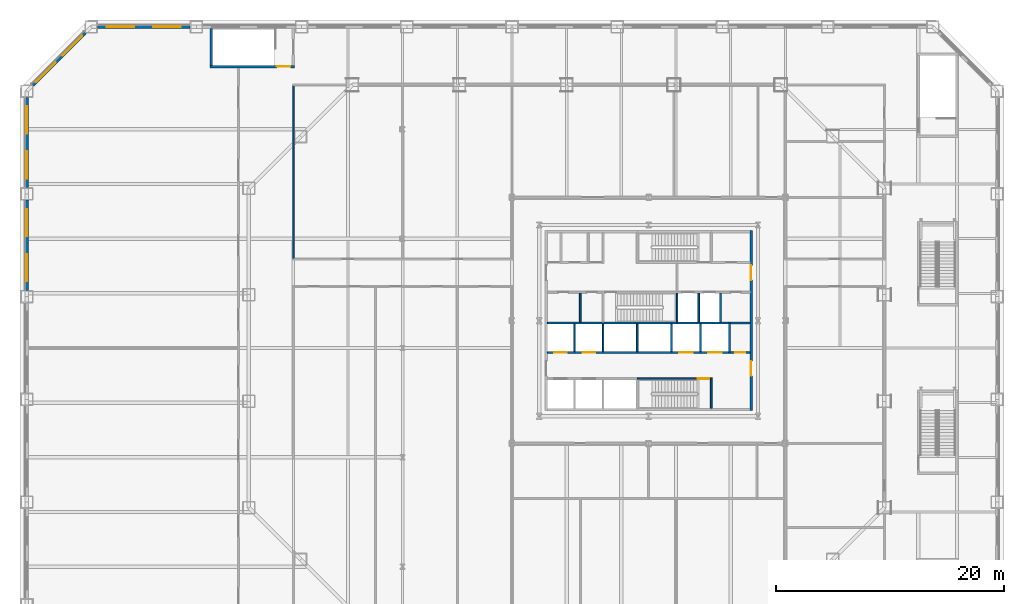
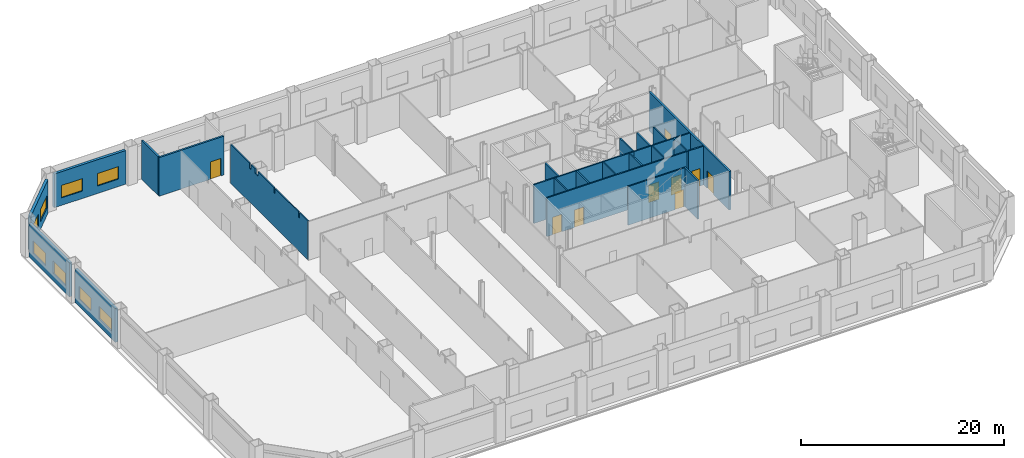
# One storey, part 11 of 22: 26 walls, 9 doors, 8 windows, 17 openings.
"""IFC4 building model written with IfcOpenShell, lengths in metres."""

from ifc_helpers import new_model, si_unit, direction, frame, frame_2d, origin, place, context, subcontext, project, spatial, polyline, rectangle, outline, extrude, material, layer, layer_set, type_object, element, fill, save


model = new_model("IFC4")

# Units and contexts
model_context = context("Model", 3, precision=1e-05, world=origin(), true_north=direction((0.0, 1.0)))
body_context = subcontext(model_context, "Body", "Model", "MODEL_VIEW")
ifc_project = project(units=[si_unit("LENGTHUNIT", "METRE"), si_unit("AREAUNIT", "SQUARE_METRE"), si_unit("VOLUMEUNIT", "CUBIC_METRE"), si_unit("PLANEANGLEUNIT", "RADIAN"), si_unit("MASSUNIT", "GRAM", prefix="KILO")], contexts=[model_context])

# Site, building, storey
site_placement = place(None, origin())
site = spatial("IfcSite", under=ifc_project, at=site_placement, CompositionType="ELEMENT")
building_placement = place(site_placement, origin())
building = spatial("IfcBuilding", under=site, at=building_placement, Name="Cairn Pilgrim Tower", CompositionType="ELEMENT")
storey_placement = place(building_placement, frame((0.0, 0.0, 35.39990234375)))
storey = spatial("IfcBuildingStorey", under=building, at=storey_placement, Name="L06", CompositionType="ELEMENT", Elevation=35.39990234375)

# Wall, openings, doors
ifc_material_1 = material(Name="Concrete C32/40", Category="concrete")
ifc_layer_1 = layer(ifc_material_1, 0.199951171875)
ifc_layer_set_1 = layer_set([ifc_layer_1], Name="CORE OUTER WALL 200 EI 120")
wall_type_1 = type_object("IfcWallType", Name="CORE OUTER WALL 200 EI 120", PredefinedType="SOLIDWALL", material=ifc_layer_set_1)
wall_1_placement = place(storey_placement, frame((16.199951171875, -5.5, 0.0), z_axis=(0.0, 0.0, 1.0), x_axis=(0.0, 1.0, 0.0)))
wall_1 = element("IfcWall", 1, at=wall_1_placement, inside=storey, type_object=wall_type_1, Name="CW:L06:V34", PredefinedType="SOLIDWALL", context=body_context, shape_type="SweptSolid", body=[
    extrude(rectangle(XDim=15.800048828125, YDim=0.199951171875, at=frame_2d((7.89990234375, 0.0))), origin(), (0.0, 0.0, 1.0), 4.650146484375),
])
opening_1_placement = place(wall_1_placement, frame((3.050048828125, 0.0, 0.0)))
opening_1 = element("IfcOpeningElement", 2, at=opening_1_placement, cuts=wall_1, Name="Opening CD-E1", PredefinedType="OPENING", context=body_context, shape_type="SweptSolid", body=[
    extrude(rectangle(XDim=1.300048828125, YDim=2.10009765625, at=frame_2d((0.64990234375, 1.050048828125))), frame((0.0, 0.10986328125, 0.0), z_axis=(0.0, -1.0, 0.0), x_axis=(1.0, 0.0, 0.0)), (0.0, 0.0, 1.0), 0.219970703125),
])
opening_2_placement = place(wall_1_placement, frame((11.449951171875, 0.0, 0.0)))
opening_2 = element("IfcOpeningElement", 3, at=opening_2_placement, cuts=wall_1, Name="Opening CD-E2", PredefinedType="OPENING", context=body_context, shape_type="SweptSolid", body=[
    extrude(rectangle(XDim=1.300048828125, YDim=2.10009765625, at=frame_2d((0.64990234375, 1.050048828125))), frame((0.0, 0.10986328125, 0.0), z_axis=(0.0, -1.0, 0.0), x_axis=(1.0, 0.0, 0.0)), (0.0, 0.0, 1.0), 0.219970703125),
])
ifc_material_2 = material(Name="Painted steel", Category="steel")
door_type_1 = type_object("IfcDoorType", Name="CORE LOBBY DOOR 1300x2100", OperationType="DOUBLE_DOOR_SINGLE_SWING", PredefinedType="DOOR", material=ifc_material_2)
door_1_placement = place(opening_1_placement, origin())
door_1 = element("IfcDoor", 4, at=door_1_placement, inside=storey, type_object=door_type_1, Name="CD-E1", OperationType="DOUBLE_DOOR_SINGLE_SWING", OverallHeight=2.10009765625, OverallWidth=1.300048828125, PredefinedType="DOOR", context=body_context, shape_type="SweptSolid", body=[
    extrude(rectangle(XDim=1.300048828125, YDim=2.10009765625, at=frame_2d((0.64990234375, 1.050048828125))), frame((0.0, 0.02490234375, 0.0), z_axis=(0.0, -1.0, 0.0), x_axis=(1.0, 0.0, 0.0)), (0.0, 0.0, 1.0), 0.050048828125),
])
fill(opening_1, door_1)
door_2_placement = place(opening_2_placement, origin())
door_2 = element("IfcDoor", 5, at=door_2_placement, inside=storey, type_object=door_type_1, Name="CD-E2", OperationType="DOUBLE_DOOR_SINGLE_SWING", OverallHeight=2.10009765625, OverallWidth=1.300048828125, PredefinedType="DOOR", context=body_context, shape_type="SweptSolid", body=[
    extrude(rectangle(XDim=1.300048828125, YDim=2.10009765625, at=frame_2d((0.64990234375, 1.050048828125))), frame((0.0, 0.02490234375, 0.0), z_axis=(0.0, -1.0, 0.0), x_axis=(1.0, 0.0, 0.0)), (0.0, 0.0, 1.0), 0.050048828125),
])
fill(opening_2, door_2)

# Wall, opening, door
ifc_layer_2 = layer(ifc_material_1, 0.14990234375)
ifc_layer_set_2 = layer_set([ifc_layer_2], Name="CORE PARTITION 150 EI 60")
wall_type_2 = type_object("IfcWallType", Name="CORE PARTITION 150 EI 60", PredefinedType="PARTITIONING", material=ifc_layer_set_2)
wall_2_placement = place(storey_placement, frame((14.375, -0.39990234375, 0.0), z_axis=(0.0, 0.0, 1.0), x_axis=(1.0, 0.0, 0.0)))
wall_2 = element("IfcWall", 6, at=wall_2_placement, inside=storey, type_object=wall_type_2, Name="CW:L06:H04", PredefinedType="PARTITIONING", context=body_context, shape_type="SweptSolid", body=[
    extrude(rectangle(XDim=1.72509765625, YDim=0.14990234375, at=frame_2d((0.862548828125, 0.0))), origin(), (0.0, 0.0, 1.0), 4.650146484375),
])
opening_3_placement = place(wall_2_placement, frame((0.425048828125, 0.0, 0.0)))
opening_3 = element("IfcOpeningElement", 7, at=opening_3_placement, cuts=wall_2, Name="Opening RD-R2E", PredefinedType="OPENING", context=body_context, shape_type="SweptSolid", body=[
    extrude(rectangle(XDim=0.89990234375, YDim=2.10009765625, at=frame_2d((0.449951171875, 1.050048828125))), frame((0.0, 0.0849609375, 0.0), z_axis=(0.0, -1.0, 0.0), x_axis=(1.0, 0.0, 0.0)), (0.0, 0.0, 1.0), 0.169921875),
])
door_type_2 = type_object("IfcDoorType", Name="SERVICE ROOM DOOR 900x2100", OperationType="SINGLE_SWING_LEFT", PredefinedType="DOOR", material=ifc_material_2)
door_3_placement = place(opening_3_placement, origin())
door_3 = element("IfcDoor", 8, at=door_3_placement, inside=storey, type_object=door_type_2, Name="RD-R2E", OperationType="SINGLE_SWING_LEFT", OverallHeight=2.10009765625, OverallWidth=0.89990234375, PredefinedType="DOOR", context=body_context, shape_type="SweptSolid", body=[
    extrude(rectangle(XDim=0.89990234375, YDim=2.10009765625, at=frame_2d((0.449951171875, 1.050048828125))), frame((0.0, 0.02490234375, 0.0), z_axis=(0.0, -1.0, 0.0), x_axis=(1.0, 0.0, 0.0)), (0.0, 0.0, 1.0), 0.050048828125),
])
fill(opening_3, door_3)

# Walls
wall_3_placement = place(storey_placement, frame((14.375, 2.199951171875, 0.0), z_axis=(0.0, 0.0, 1.0), x_axis=(1.0, 0.0, 0.0)))
element("IfcWall", 9, at=wall_3_placement, inside=storey, type_object=wall_type_2, Name="CW:L06:H06", PredefinedType="PARTITIONING", context=body_context, shape_type="SweptSolid", body=[
    extrude(rectangle(XDim=1.72509765625, YDim=0.14990234375, at=frame_2d((0.862548828125, 0.0))), origin(), (0.0, 0.0, 1.0), 4.650146484375),
])
wall_4_placement = place(storey_placement, frame((1.199951171875, 2.27490234375, 0.0), z_axis=(0.0, 0.0, 1.0), x_axis=(0.0, 1.0, 0.0)))
element("IfcWall", 10, at=wall_4_placement, inside=storey, type_object=wall_type_2, Name="CW:L06:V16", PredefinedType="PARTITIONING", context=body_context, shape_type="SweptSolid", body=[
    extrude(rectangle(XDim=2.550048828125, YDim=0.14990234375, at=frame_2d((1.27490234375, 0.0))), origin(), (0.0, 0.0, 1.0), 4.650146484375),
])

# Wall, openings, doors
ifc_layer_3 = layer(ifc_material_1, 0.14990234375)
ifc_layer_set_3 = layer_set([ifc_layer_3], Name="CORE SHAFT WALL 150 EI 120")
wall_type_3 = type_object("IfcWallType", Name="CORE SHAFT WALL 150 EI 120", PredefinedType="SOLIDWALL", material=ifc_layer_set_3)
wall_5_placement = place(storey_placement, frame((-1.699951171875, -0.39990234375, 0.0), z_axis=(0.0, 0.0, 1.0), x_axis=(1.0, 0.0, 0.0)))
wall_5 = element("IfcWall", 11, at=wall_5_placement, inside=storey, type_object=wall_type_3, Name="CW:L06:H03", PredefinedType="SOLIDWALL", context=body_context, shape_type="SweptSolid", body=[
    extrude(rectangle(XDim=15.925048828125, YDim=0.14990234375, at=frame_2d((7.96240234375, 0.0))), origin(), (0.0, 0.0, 1.0), 4.650146484375),
])
opening_4_placement = place(wall_5_placement, frame((0.60009765625, 0.0, 0.0)))
opening_4 = element("IfcOpeningElement", 12, at=opening_4_placement, cuts=wall_5, Name="Opening LD-LR3", PredefinedType="OPENING", context=body_context, shape_type="SweptSolid", body=[
    extrude(rectangle(XDim=1.10009765625, YDim=2.10009765625, at=frame_2d((0.550048828125, 1.050048828125))), frame((0.0, 0.0849609375, 0.0), z_axis=(0.0, -1.0, 0.0), x_axis=(1.0, 0.0, 0.0)), (0.0, 0.0, 1.0), 0.169921875),
])
opening_5_placement = place(wall_5_placement, frame((3.10009765625, 0.0, 0.0)))
opening_5 = element("IfcOpeningElement", 13, at=opening_5_placement, cuts=wall_5, Name="Opening LD-LR4", PredefinedType="OPENING", context=body_context, shape_type="SweptSolid", body=[
    extrude(rectangle(XDim=1.10009765625, YDim=2.10009765625, at=frame_2d((0.550048828125, 1.050048828125))), frame((0.0, 0.0849609375, 0.0), z_axis=(0.0, -1.0, 0.0), x_axis=(1.0, 0.0, 0.0)), (0.0, 0.0, 1.0), 0.169921875),
])
opening_6_placement = place(wall_5_placement, frame((11.574951171875, 0.0, 0.0)))
opening_6 = element("IfcOpeningElement", 14, at=opening_6_placement, cuts=wall_5, Name="Opening LD-SV1", PredefinedType="OPENING", context=body_context, shape_type="SweptSolid", body=[
    extrude(rectangle(XDim=1.199951171875, YDim=2.10009765625, at=frame_2d((0.60009765625, 1.050048828125))), frame((0.0, 0.0849609375, 0.0), z_axis=(0.0, -1.0, 0.0), x_axis=(1.0, 0.0, 0.0)), (0.0, 0.0, 1.0), 0.169921875),
])
opening_7_placement = place(wall_5_placement, frame((14.125, 0.0, 0.0)))
opening_7 = element("IfcOpeningElement", 15, at=opening_7_placement, cuts=wall_5, Name="Opening LD-SV2", PredefinedType="OPENING", context=body_context, shape_type="SweptSolid", body=[
    extrude(rectangle(XDim=1.199951171875, YDim=2.10009765625, at=frame_2d((0.60009765625, 1.050048828125))), frame((0.0, 0.0849609375, 0.0), z_axis=(0.0, -1.0, 0.0), x_axis=(1.0, 0.0, 0.0)), (0.0, 0.0, 1.0), 0.169921875),
])
ifc_material_3 = material(Name="Stainless steel", Category="steel")
door_type_3 = type_object("IfcDoorType", Name="LIFT LANDING DOOR 1100x2100", OperationType="DOUBLE_DOOR_SLIDING", PredefinedType="DOOR", material=ifc_material_3)
door_4_placement = place(opening_4_placement, origin())
door_4 = element("IfcDoor", 16, at=door_4_placement, inside=storey, type_object=door_type_3, Name="LANDING DOOR LR3", OperationType="DOUBLE_DOOR_SLIDING", OverallHeight=2.10009765625, OverallWidth=1.10009765625, PredefinedType="DOOR", context=body_context, shape_type="SweptSolid", body=[
    extrude(rectangle(XDim=1.10009765625, YDim=2.10009765625, at=frame_2d((0.550048828125, 1.050048828125))), frame((0.0, 0.02490234375, 0.0), z_axis=(0.0, -1.0, 0.0), x_axis=(1.0, 0.0, 0.0)), (0.0, 0.0, 1.0), 0.050048828125),
])
fill(opening_4, door_4)
door_5_placement = place(opening_5_placement, origin())
door_5 = element("IfcDoor", 17, at=door_5_placement, inside=storey, type_object=door_type_3, Name="LANDING DOOR LR4", OperationType="DOUBLE_DOOR_SLIDING", OverallHeight=2.10009765625, OverallWidth=1.10009765625, PredefinedType="DOOR", context=body_context, shape_type="SweptSolid", body=[
    extrude(rectangle(XDim=1.10009765625, YDim=2.10009765625, at=frame_2d((0.550048828125, 1.050048828125))), frame((0.0, 0.02490234375, 0.0), z_axis=(0.0, -1.0, 0.0), x_axis=(1.0, 0.0, 0.0)), (0.0, 0.0, 1.0), 0.050048828125),
])
fill(opening_5, door_5)
door_type_4 = type_object("IfcDoorType", Name="LIFT LANDING DOOR 1200x2100", OperationType="DOUBLE_DOOR_SLIDING", PredefinedType="DOOR", material=ifc_material_3)
door_6_placement = place(opening_6_placement, origin())
door_6 = element("IfcDoor", 18, at=door_6_placement, inside=storey, type_object=door_type_4, Name="LANDING DOOR SV1", OperationType="DOUBLE_DOOR_SLIDING", OverallHeight=2.10009765625, OverallWidth=1.199951171875, PredefinedType="DOOR", context=body_context, shape_type="SweptSolid", body=[
    extrude(rectangle(XDim=1.199951171875, YDim=2.10009765625, at=frame_2d((0.60009765625, 1.050048828125))), frame((0.0, 0.02490234375, 0.0), z_axis=(0.0, -1.0, 0.0), x_axis=(1.0, 0.0, 0.0)), (0.0, 0.0, 1.0), 0.050048828125),
])
fill(opening_6, door_6)
door_7_placement = place(opening_7_placement, origin())
door_7 = element("IfcDoor", 19, at=door_7_placement, inside=storey, type_object=door_type_4, Name="LANDING DOOR SV2", OperationType="DOUBLE_DOOR_SLIDING", OverallHeight=2.10009765625, OverallWidth=1.199951171875, PredefinedType="DOOR", context=body_context, shape_type="SweptSolid", body=[
    extrude(rectangle(XDim=1.199951171875, YDim=2.10009765625, at=frame_2d((0.60009765625, 1.050048828125))), frame((0.0, 0.02490234375, 0.0), z_axis=(0.0, -1.0, 0.0), x_axis=(1.0, 0.0, 0.0)), (0.0, 0.0, 1.0), 0.050048828125),
])
fill(opening_7, door_7)

# Walls
wall_6_placement = place(storey_placement, frame((-1.699951171875, 2.199951171875, 0.0), z_axis=(0.0, 0.0, 1.0), x_axis=(1.0, 0.0, 0.0)))
element("IfcWall", 20, at=wall_6_placement, inside=storey, type_object=wall_type_3, Name="CW:L06:H05-1", PredefinedType="SOLIDWALL", context=body_context, shape_type="SweptSolid", body=[
    extrude(rectangle(XDim=4.89990234375, YDim=0.14990234375, at=frame_2d((2.449951171875, 0.0))), origin(), (0.0, 0.0, 1.0), 4.650146484375),
])
wall_7_placement = place(storey_placement, frame((9.699951171875, 2.199951171875, 0.0), z_axis=(0.0, 0.0, 1.0), x_axis=(1.0, 0.0, 0.0)))
element("IfcWall", 21, at=wall_7_placement, inside=storey, type_object=wall_type_3, Name="CW:L06:H05-3", PredefinedType="SOLIDWALL", context=body_context, shape_type="SweptSolid", body=[
    extrude(rectangle(XDim=4.525146484375, YDim=0.14990234375, at=frame_2d((2.2626953125, 0.0))), origin(), (0.0, 0.0, 1.0), 4.650146484375),
])
for number, where, z_axis, x_axis, name in (
    (22, (0.699951171875, -0.324951171875, 0.0), (0.0, 0.0, 1.0), (0.0, 1.0, 0.0), "CW:L06:V15"),
    (23, (3.199951171875, -0.324951171875, 0.0), (0.0, 0.0, 1.0), (0.0, 1.0, 0.0), "CW:L06:V19"),
    (24, (6.199951171875, -0.324951171875, 0.0), (0.0, 0.0, 1.0), (0.0, 1.0, 0.0), "CW:L06:V23"),
    (25, (9.199951171875, -0.324951171875, 0.0), (0.0, 0.0, 1.0), (0.0, 1.0, 0.0), "CW:L06:V25"),
):
    element("IfcWall", number, at=place(storey_placement, frame(where, z_axis=z_axis, x_axis=x_axis)), inside=storey, type_object=wall_type_3, Name=name, PredefinedType="SOLIDWALL", context=body_context, shape_type="SweptSolid", body=[
        extrude(rectangle(XDim=2.449951171875, YDim=0.14990234375, at=frame_2d((1.22509765625, 0.0))), origin(), (0.0, 0.0, 1.0), 4.650146484375),
    ])
wall_8_placement = place(storey_placement, frame((11.60009765625, 2.27490234375, 0.0), z_axis=(0.0, 0.0, 1.0), x_axis=(0.0, 1.0, 0.0)))
element("IfcWall", 26, at=wall_8_placement, inside=storey, type_object=wall_type_3, Name="CW:L06:V28", PredefinedType="SOLIDWALL", context=body_context, shape_type="SweptSolid", body=[
    extrude(rectangle(XDim=2.550048828125, YDim=0.14990234375, at=frame_2d((1.27490234375, 0.0))), origin(), (0.0, 0.0, 1.0), 4.650146484375),
])
wall_9_placement = place(storey_placement, frame((11.75, -0.324951171875, 0.0), z_axis=(0.0, 0.0, 1.0), x_axis=(0.0, 1.0, 0.0)))
element("IfcWall", 27, at=wall_9_placement, inside=storey, type_object=wall_type_3, Name="CW:L06:V29", PredefinedType="SOLIDWALL", context=body_context, shape_type="SweptSolid", body=[
    extrude(rectangle(XDim=2.449951171875, YDim=0.14990234375, at=frame_2d((1.22509765625, 0.0))), origin(), (0.0, 0.0, 1.0), 4.650146484375),
])
wall_10_placement = place(storey_placement, frame((13.5, 2.27490234375, 0.0), z_axis=(0.0, 0.0, 1.0), x_axis=(0.0, 1.0, 0.0)))
element("IfcWall", 28, at=wall_10_placement, inside=storey, type_object=wall_type_3, Name="CW:L06:V32", PredefinedType="SOLIDWALL", context=body_context, shape_type="SweptSolid", body=[
    extrude(rectangle(XDim=2.550048828125, YDim=0.14990234375, at=frame_2d((1.27490234375, 0.0))), origin(), (0.0, 0.0, 1.0), 4.650146484375),
])
wall_11_placement = place(storey_placement, frame((14.300048828125, -0.47509765625, 0.0), z_axis=(0.0, 0.0, 1.0), x_axis=(0.0, 1.0, 0.0)))
element("IfcWall", 29, at=wall_11_placement, inside=storey, type_object=wall_type_3, Name="CW:L06:V33", PredefinedType="SOLIDWALL", context=body_context, shape_type="SweptSolid", body=[
    extrude(rectangle(XDim=2.75, YDim=0.14990234375, at=frame_2d((1.375, 0.0))), origin(), (0.0, 0.0, 1.0), 4.650146484375),
])
ifc_material_4 = material(Name="Gypsum partition")
ifc_layer_4 = layer(ifc_material_4, 0.125)
ifc_layer_set_4 = layer_set([ifc_layer_4], Name="PARTITION 125 DRYWALL EI 60")
wall_type_4 = type_object("IfcWallType", Name="PARTITION 125 DRYWALL EI 60", PredefinedType="PARTITIONING", material=ifc_layer_set_4)
wall_12_placement = place(storey_placement, frame((-24.0, 7.862548828125, 0.0), z_axis=(0.0, 0.0, 1.0), x_axis=(0.0, 1.0, 0.0)))
element("IfcWall", 30, at=wall_12_placement, inside=storey, type_object=wall_type_4, Name="PARTITION W049", PredefinedType="PARTITIONING", context=body_context, shape_type="SweptSolid", body=[
    extrude(outline(polyline([(0.0, 0.0), (15.175048828125, 0.0), (15.175048828125, 4.650146484375), (11.487548828125, 4.650146484375), (11.485595703125, 4.030029296875), (11.1875, 4.030029296875), (11.185546875, 4.650146484375), (10.33935546875, 4.650146484375), (10.33740234375, 4.130126953125), (9.7900390625, 4.130126953125), (9.7880859375, 4.650146484375), (6.6474609375, 4.650146484375), (6.6455078125, 4.030029296875), (6.427490234375, 4.030029296875), (6.425537109375, 4.650146484375), (1.847412109375, 4.650146484375), (1.845458984375, 4.030029296875), (1.62744140625, 4.030029296875), (1.62548828125, 4.650146484375), (0.0, 4.650146484375), (0.0, 0.0)])), frame((0.0, 0.0625, 0.0), z_axis=(0.0, -1.0, 0.0), x_axis=(1.0, 0.0, 0.0)), (0.0, 0.0, 1.0), 0.125),
])

# Wall, opening, door
ifc_material_5 = material(Name="Concrete C35/45", Category="concrete")
ifc_layer_5 = layer(ifc_material_5, 0.199951171875)
ifc_layer_set_5 = layer_set([ifc_layer_5], Name="PODIUM STAIR WALL 200 EI 120")
wall_type_5 = type_object("IfcWallType", Name="PODIUM STAIR WALL 200 EI 120", PredefinedType="SOLIDWALL", material=ifc_layer_set_5)
wall_13_placement = place(storey_placement, frame((-31.300048828125, 24.699951171875, 0.0), z_axis=(0.0, 0.0, 1.0), x_axis=(1.0, 0.0, 0.0)))
wall_13 = element("IfcWall", 31, at=wall_13_placement, inside=storey, type_object=wall_type_5, Name="STAIR SHAFT WALL W076", PredefinedType="SOLIDWALL", context=body_context, shape_type="SweptSolid", body=[
    extrude(rectangle(XDim=7.400146484375, YDim=0.199951171875, at=frame_2d((3.7001953125, 0.0))), origin(), (0.0, 0.0, 1.0), 4.650146484375),
])
opening_8_placement = place(wall_13_placement, frame((5.85009765625, 0.0, 0.0)))
opening_8 = element("IfcOpeningElement", 32, at=opening_8_placement, cuts=wall_13, Name="Opening 0623", PredefinedType="OPENING", context=body_context, shape_type="SweptSolid", body=[
    extrude(rectangle(XDim=1.199951171875, YDim=2.10009765625, at=frame_2d((0.60009765625, 1.050048828125))), frame((0.0, 0.10986328125, 0.0), z_axis=(0.0, -1.0, 0.0), x_axis=(1.0, 0.0, 0.0)), (0.0, 0.0, 1.0), 0.219970703125),
])
ifc_material_6 = material(Name="Steel-faced fire door leaf", Category="steel")
door_type_5 = type_object("IfcDoorType", Name="FIRE DOOR 1200x2100 FD60S", OperationType="NOTDEFINED", PredefinedType="DOOR", material=ifc_material_6)
door_8_placement = place(opening_8_placement, origin())
door_8 = element("IfcDoor", 33, at=door_8_placement, inside=storey, type_object=door_type_5, Name="DOOR 0623", OperationType="SINGLE_SWING_LEFT", OverallHeight=2.10009765625, OverallWidth=1.199951171875, PredefinedType="DOOR", context=body_context, shape_type="SweptSolid", body=[
    extrude(rectangle(XDim=1.199951171875, YDim=2.10009765625, at=frame_2d((0.60009765625, 1.050048828125))), frame((0.0, 0.02490234375, 0.0), z_axis=(0.0, -1.0, 0.0), x_axis=(1.0, 0.0, 0.0)), (0.0, 0.0, 1.0), 0.050048828125),
])
fill(opening_8, door_8)

# Wall
wall_14_placement = place(storey_placement, frame((-31.199951171875, 24.800048828125, 0.0), z_axis=(0.0, 0.0, 1.0), x_axis=(0.0, 1.0, 0.0)))
element("IfcWall", 34, at=wall_14_placement, inside=storey, type_object=wall_type_5, Name="STAIR SHAFT WALL W077", PredefinedType="SOLIDWALL", context=body_context, shape_type="SweptSolid", body=[
    extrude(rectangle(XDim=3.25, YDim=0.199951171875, at=frame_2d((1.625, 0.0))), origin(), (0.0, 0.0, 1.0), 4.650146484375),
])

# Wall, openings, windows
ifc_material_7 = material(Name="Concrete C35/45 backup wall with bronze aluminium cladding", Category="concrete")
ifc_layer_6 = layer(ifc_material_7, 0.300048828125)
ifc_layer_set_6 = layer_set([ifc_layer_6], Name="PODIUM WALL 300 BRONZE-CLAD")
wall_type_6 = type_object("IfcWallType", Name="PODIUM WALL 300 BRONZE-CLAD", PredefinedType="SOLIDWALL", material=ifc_layer_set_6)
wall_15_placement = place(storey_placement, frame((-33.063720703125, 28.199951171875, 0.0), z_axis=(0.0, 0.0, 1.0), x_axis=(-1.0, 0.0, 0.0)))
wall_15 = element("IfcWall", 35, at=wall_15_placement, inside=storey, type_object=wall_type_6, Name="PODIUM EXTERNAL WALL N8-NW1", PredefinedType="SOLIDWALL", context=body_context, shape_type="SweptSolid", body=[
    extrude(rectangle(XDim=8.1376953125, YDim=0.300048828125, at=frame_2d((4.06884765625, 0.0))), origin(), (0.0, 0.0, 1.0), 4.050048828125),
])
opening_9_placement = place(wall_15_placement, frame((0.83447265625, 0.0, 0.89990234375)))
opening_9 = element("IfcOpeningElement", 36, at=opening_9_placement, cuts=wall_15, Name="Opening PW15", PredefinedType="OPENING", context=body_context, shape_type="SweptSolid", body=[
    extrude(rectangle(XDim=2.39990234375, YDim=1.5, at=frame_2d((1.199951171875, 0.75))), frame((0.0, 0.16015625, 0.0), z_axis=(0.0, -1.0, 0.0), x_axis=(1.0, 0.0, 0.0)), (0.0, 0.0, 1.0), 0.320068359375),
])
opening_10_placement = place(wall_15_placement, frame((4.9033203125, 0.0, 0.89990234375)))
opening_10 = element("IfcOpeningElement", 37, at=opening_10_placement, cuts=wall_15, Name="Opening PW15", PredefinedType="OPENING", context=body_context, shape_type="SweptSolid", body=[
    extrude(rectangle(XDim=2.39990234375, YDim=1.5, at=frame_2d((1.199951171875, 0.75))), frame((0.0, 0.16015625, 0.0), z_axis=(0.0, -1.0, 0.0), x_axis=(1.0, 0.0, 0.0)), (0.0, 0.0, 1.0), 0.320068359375),
])
ifc_material_8 = material(Name="Bronze anodised aluminium frame with tinted low-E glass", Category="aluminium")
window_type = type_object("IfcWindowType", Name="PODIUM FIXED WINDOW 2400x1500", PartitioningType="SINGLE_PANEL", PredefinedType="WINDOW", material=ifc_material_8)
window_1_placement = place(opening_9_placement, origin())
window_1 = element("IfcWindow", 38, at=window_1_placement, inside=storey, type_object=window_type, Name="PODIUM WINDOW", OverallHeight=1.5, OverallWidth=2.39990234375, PartitioningType="SINGLE_PANEL", PredefinedType="WINDOW", context=body_context, shape_type="SweptSolid", body=[
    extrude(rectangle(XDim=2.39990234375, YDim=1.5, at=frame_2d((1.199951171875, 0.75))), frame((0.0, 0.030029296875, 0.0), z_axis=(0.0, -1.0, 0.0), x_axis=(1.0, 0.0, 0.0)), (0.0, 0.0, 1.0), 0.06005859375),
])
fill(opening_9, window_1)
window_2_placement = place(opening_10_placement, origin())
window_2 = element("IfcWindow", 39, at=window_2_placement, inside=storey, type_object=window_type, Name="PODIUM WINDOW", OverallHeight=1.5, OverallWidth=2.39990234375, PartitioningType="SINGLE_PANEL", PredefinedType="WINDOW", context=body_context, shape_type="SweptSolid", body=[
    extrude(rectangle(XDim=2.39990234375, YDim=1.5, at=frame_2d((1.199951171875, 0.75))), frame((0.0, 0.030029296875, 0.0), z_axis=(0.0, -1.0, 0.0), x_axis=(1.0, 0.0, 0.0)), (0.0, 0.0, 1.0), 0.06005859375),
])
fill(opening_10, window_2)

wall_16_placement = place(storey_placement, frame((-42.274658203125, 27.6767578125, 0.0), z_axis=(0.0, 0.0, 1.0), x_axis=(-0.707106781187, -0.707106781187, 0.0)))
wall_16 = element("IfcWall", 40, at=wall_16_placement, inside=storey, type_object=wall_type_6, Name="PODIUM EXTERNAL WALL NW1-W1", PredefinedType="SOLIDWALL", context=body_context, shape_type="SweptSolid", body=[
    extrude(rectangle(XDim=6.50830078125, YDim=0.300048828125, at=frame_2d((3.254150390625, 0.0))), origin(), (0.0, 0.0, 1.0), 4.050048828125),
])
opening_11_placement = place(wall_16_placement, frame((0.427001953125, 0.0, 0.89990234375)))
opening_11 = element("IfcOpeningElement", 41, at=opening_11_placement, cuts=wall_16, Name="Opening PW15", PredefinedType="OPENING", context=body_context, shape_type="SweptSolid", body=[
    extrude(rectangle(XDim=2.39990234375, YDim=1.5, at=frame_2d((1.199951171875, 0.75))), frame((0.0, 0.16015625, 0.0), z_axis=(0.0, -1.0, 0.0), x_axis=(1.0, 0.0, 0.0)), (0.0, 0.0, 1.0), 0.320068359375),
])
opening_12_placement = place(wall_16_placement, frame((3.68115234375, 0.0, 0.89990234375)))
opening_12 = element("IfcOpeningElement", 42, at=opening_12_placement, cuts=wall_16, Name="Opening PW15", PredefinedType="OPENING", context=body_context, shape_type="SweptSolid", body=[
    extrude(rectangle(XDim=2.39990234375, YDim=1.5, at=frame_2d((1.199951171875, 0.75))), frame((0.0, 0.16015625, 0.0), z_axis=(0.0, -1.0, 0.0), x_axis=(1.0, 0.0, 0.0)), (0.0, 0.0, 1.0), 0.320068359375),
])
window_3_placement = place(opening_11_placement, origin())
window_3 = element("IfcWindow", 43, at=window_3_placement, inside=storey, type_object=window_type, Name="PODIUM WINDOW", OverallHeight=1.5, OverallWidth=2.39990234375, PartitioningType="SINGLE_PANEL", PredefinedType="WINDOW", context=body_context, shape_type="SweptSolid", body=[
    extrude(rectangle(XDim=2.39990234375, YDim=1.5, at=frame_2d((1.199951171875, 0.75))), frame((0.0, 0.030029296875, 0.0), z_axis=(0.0, -1.0, 0.0), x_axis=(1.0, 0.0, 0.0)), (0.0, 0.0, 1.0), 0.06005859375),
])
fill(opening_11, window_3)
window_4_placement = place(opening_12_placement, origin())
window_4 = element("IfcWindow", 44, at=window_4_placement, inside=storey, type_object=window_type, Name="PODIUM WINDOW", OverallHeight=1.5, OverallWidth=2.39990234375, PartitioningType="SINGLE_PANEL", PredefinedType="WINDOW", context=body_context, shape_type="SweptSolid", body=[
    extrude(rectangle(XDim=2.39990234375, YDim=1.5, at=frame_2d((1.199951171875, 0.75))), frame((0.0, 0.030029296875, 0.0), z_axis=(0.0, -1.0, 0.0), x_axis=(1.0, 0.0, 0.0)), (0.0, 0.0, 1.0), 0.06005859375),
])
fill(opening_12, window_4)

wall_17_placement = place(storey_placement, frame((-47.39990234375, 22.00146484375, 0.0), z_axis=(0.0, 0.0, 1.0), x_axis=(0.0, -1.0, 0.0)))
wall_17 = element("IfcWall", 45, at=wall_17_placement, inside=storey, type_object=wall_type_6, Name="PODIUM EXTERNAL WALL W1-W2", PredefinedType="SOLIDWALL", context=body_context, shape_type="SweptSolid", body=[
    extrude(rectangle(XDim=7.920654296875, YDim=0.300048828125, at=frame_2d((3.96044921875, 0.0))), origin(), (0.0, 0.0, 1.0), 4.050048828125),
])
opening_13_placement = place(wall_17_placement, frame((0.780029296875, 0.0, 0.89990234375)))
opening_13 = element("IfcOpeningElement", 46, at=opening_13_placement, cuts=wall_17, Name="Opening PW15", PredefinedType="OPENING", context=body_context, shape_type="SweptSolid", body=[
    extrude(rectangle(XDim=2.39990234375, YDim=1.5, at=frame_2d((1.199951171875, 0.75))), frame((0.0, 0.16015625, 0.0), z_axis=(0.0, -1.0, 0.0), x_axis=(1.0, 0.0, 0.0)), (0.0, 0.0, 1.0), 0.320068359375),
])
opening_14_placement = place(wall_17_placement, frame((4.740478515625, 0.0, 0.89990234375)))
opening_14 = element("IfcOpeningElement", 47, at=opening_14_placement, cuts=wall_17, Name="Opening PW15", PredefinedType="OPENING", context=body_context, shape_type="SweptSolid", body=[
    extrude(rectangle(XDim=2.39990234375, YDim=1.5, at=frame_2d((1.199951171875, 0.75))), frame((0.0, 0.16015625, 0.0), z_axis=(0.0, -1.0, 0.0), x_axis=(1.0, 0.0, 0.0)), (0.0, 0.0, 1.0), 0.320068359375),
])
window_5_placement = place(opening_13_placement, origin())
window_5 = element("IfcWindow", 48, at=window_5_placement, inside=storey, type_object=window_type, Name="PODIUM WINDOW", OverallHeight=1.5, OverallWidth=2.39990234375, PartitioningType="SINGLE_PANEL", PredefinedType="WINDOW", context=body_context, shape_type="SweptSolid", body=[
    extrude(rectangle(XDim=2.39990234375, YDim=1.5, at=frame_2d((1.199951171875, 0.75))), frame((0.0, 0.030029296875, 0.0), z_axis=(0.0, -1.0, 0.0), x_axis=(1.0, 0.0, 0.0)), (0.0, 0.0, 1.0), 0.06005859375),
])
fill(opening_13, window_5)
window_6_placement = place(opening_14_placement, origin())
window_6 = element("IfcWindow", 49, at=window_6_placement, inside=storey, type_object=window_type, Name="PODIUM WINDOW", OverallHeight=1.5, OverallWidth=2.39990234375, PartitioningType="SINGLE_PANEL", PredefinedType="WINDOW", context=body_context, shape_type="SweptSolid", body=[
    extrude(rectangle(XDim=2.39990234375, YDim=1.5, at=frame_2d((1.199951171875, 0.75))), frame((0.0, 0.030029296875, 0.0), z_axis=(0.0, -1.0, 0.0), x_axis=(1.0, 0.0, 0.0)), (0.0, 0.0, 1.0), 0.06005859375),
])
fill(opening_14, window_6)

wall_18_placement = place(storey_placement, frame((-47.39990234375, 12.98095703125, 0.0), z_axis=(0.0, 0.0, 1.0), x_axis=(0.0, -1.0, 0.0)))
wall_18 = element("IfcWall", 50, at=wall_18_placement, inside=storey, type_object=wall_type_6, Name="PODIUM EXTERNAL WALL W2-W3", PredefinedType="SOLIDWALL", context=body_context, shape_type="SweptSolid", body=[
    extrude(rectangle(XDim=7.920654296875, YDim=0.300048828125, at=frame_2d((3.96044921875, 0.0))), origin(), (0.0, 0.0, 1.0), 4.050048828125),
])
opening_15_placement = place(wall_18_placement, frame((0.780029296875, 0.0, 0.89990234375)))
opening_15 = element("IfcOpeningElement", 51, at=opening_15_placement, cuts=wall_18, Name="Opening PW15", PredefinedType="OPENING", context=body_context, shape_type="SweptSolid", body=[
    extrude(rectangle(XDim=2.39990234375, YDim=1.5, at=frame_2d((1.199951171875, 0.75))), frame((0.0, 0.16015625, 0.0), z_axis=(0.0, -1.0, 0.0), x_axis=(1.0, 0.0, 0.0)), (0.0, 0.0, 1.0), 0.320068359375),
])
opening_16_placement = place(wall_18_placement, frame((4.740478515625, 0.0, 0.89990234375)))
opening_16 = element("IfcOpeningElement", 52, at=opening_16_placement, cuts=wall_18, Name="Opening PW15", PredefinedType="OPENING", context=body_context, shape_type="SweptSolid", body=[
    extrude(rectangle(XDim=2.39990234375, YDim=1.5, at=frame_2d((1.199951171875, 0.75))), frame((0.0, 0.16015625, 0.0), z_axis=(0.0, -1.0, 0.0), x_axis=(1.0, 0.0, 0.0)), (0.0, 0.0, 1.0), 0.320068359375),
])
window_7_placement = place(opening_15_placement, origin())
window_7 = element("IfcWindow", 53, at=window_7_placement, inside=storey, type_object=window_type, Name="PODIUM WINDOW", OverallHeight=1.5, OverallWidth=2.39990234375, PartitioningType="SINGLE_PANEL", PredefinedType="WINDOW", context=body_context, shape_type="SweptSolid", body=[
    extrude(rectangle(XDim=2.39990234375, YDim=1.5, at=frame_2d((1.199951171875, 0.75))), frame((0.0, 0.030029296875, 0.0), z_axis=(0.0, -1.0, 0.0), x_axis=(1.0, 0.0, 0.0)), (0.0, 0.0, 1.0), 0.06005859375),
])
fill(opening_15, window_7)
window_8_placement = place(opening_16_placement, origin())
window_8 = element("IfcWindow", 54, at=window_8_placement, inside=storey, type_object=window_type, Name="PODIUM WINDOW", OverallHeight=1.5, OverallWidth=2.39990234375, PartitioningType="SINGLE_PANEL", PredefinedType="WINDOW", context=body_context, shape_type="SweptSolid", body=[
    extrude(rectangle(XDim=2.39990234375, YDim=1.5, at=frame_2d((1.199951171875, 0.75))), frame((0.0, 0.030029296875, 0.0), z_axis=(0.0, -1.0, 0.0), x_axis=(1.0, 0.0, 0.0)), (0.0, 0.0, 1.0), 0.06005859375),
])
fill(opening_16, window_8)

# Wall, opening, door
ifc_layer_7 = layer(ifc_material_5, 0.14990234375)
ifc_layer_set_7 = layer_set([ifc_layer_7], Name="STAIR SHAFT WALL 150 EI 120")
wall_type_7 = type_object("IfcWallType", Name="STAIR SHAFT WALL 150 EI 120", PredefinedType="SOLIDWALL", material=ifc_layer_set_7)
wall_19_placement = place(storey_placement, frame((6.199951171875, -2.699951171875, 0.0), z_axis=(0.0, 0.0, 1.0), x_axis=(1.0, 0.0, 0.0)))
wall_19 = element("IfcWall", 55, at=wall_19_placement, inside=storey, type_object=wall_type_7, Name="CW:L06:H02-2", PredefinedType="SOLIDWALL", context=body_context, shape_type="SweptSolid", body=[
    extrude(rectangle(XDim=6.425048828125, YDim=0.14990234375, at=frame_2d((3.21240234375, 0.0))), origin(), (0.0, 0.0, 1.0), 4.650146484375),
])
opening_17_placement = place(wall_19_placement, frame((5.300048828125, 0.0, 0.0)))
opening_17 = element("IfcOpeningElement", 56, at=opening_17_placement, cuts=wall_19, Name="Opening SD-A", PredefinedType="OPENING", context=body_context, shape_type="SweptSolid", body=[
    extrude(rectangle(XDim=1.0, YDim=2.10009765625, at=frame_2d((0.5, 1.050048828125))), frame((0.0, 0.0849609375, 0.0), z_axis=(0.0, -1.0, 0.0), x_axis=(1.0, 0.0, 0.0)), (0.0, 0.0, 1.0), 0.169921875),
])
door_type_6 = type_object("IfcDoorType", Name="STAIR DOOR FD60S 1000x2100", OperationType="SINGLE_SWING_LEFT", PredefinedType="DOOR", material=ifc_material_2)
door_9_placement = place(opening_17_placement, origin())
door_9 = element("IfcDoor", 57, at=door_9_placement, inside=storey, type_object=door_type_6, Name="SD-A", OperationType="SINGLE_SWING_RIGHT", OverallHeight=2.10009765625, OverallWidth=1.0, PredefinedType="DOOR", context=body_context, shape_type="SweptSolid", body=[
    extrude(rectangle(XDim=1.0, YDim=2.10009765625, at=frame_2d((0.5, 1.050048828125))), frame((0.0, 0.02490234375, 0.0), z_axis=(0.0, -1.0, 0.0), x_axis=(1.0, 0.0, 0.0)), (0.0, 0.0, 1.0), 0.050048828125),
])
fill(opening_17, door_9)

# Walls
wall_20_placement = place(storey_placement, frame((3.199951171875, 2.199951171875, 0.0), z_axis=(0.0, 0.0, 1.0), x_axis=(1.0, 0.0, 0.0)))
element("IfcWall", 58, at=wall_20_placement, inside=storey, type_object=wall_type_7, Name="CW:L06:H05-2", PredefinedType="SOLIDWALL", context=body_context, shape_type="SweptSolid", body=[
    extrude(rectangle(XDim=6.5, YDim=0.14990234375, at=frame_2d((3.25, 0.0))), origin(), (0.0, 0.0, 1.0), 4.650146484375),
])
wall_21_placement = place(storey_placement, frame((9.699951171875, 2.27490234375, 0.0), z_axis=(0.0, 0.0, 1.0), x_axis=(0.0, 1.0, 0.0)))
element("IfcWall", 59, at=wall_21_placement, inside=storey, type_object=wall_type_7, Name="CW:L06:V26", PredefinedType="SOLIDWALL", context=body_context, shape_type="SweptSolid", body=[
    extrude(rectangle(XDim=2.550048828125, YDim=0.14990234375, at=frame_2d((1.27490234375, 0.0))), origin(), (0.0, 0.0, 1.0), 4.650146484375),
])
wall_22_placement = place(storey_placement, frame((12.699951171875, -5.300048828125, 0.0), z_axis=(0.0, 0.0, 1.0), x_axis=(0.0, 1.0, 0.0)))
element("IfcWall", 60, at=wall_22_placement, inside=storey, type_object=wall_type_7, Name="CW:L06:V30", PredefinedType="SOLIDWALL", context=body_context, shape_type="SweptSolid", body=[
    extrude(rectangle(XDim=2.675048828125, YDim=0.14990234375, at=frame_2d((1.33740234375, 0.0))), origin(), (0.0, 0.0, 1.0), 4.650146484375),
])

save(model, "model.ifc")
